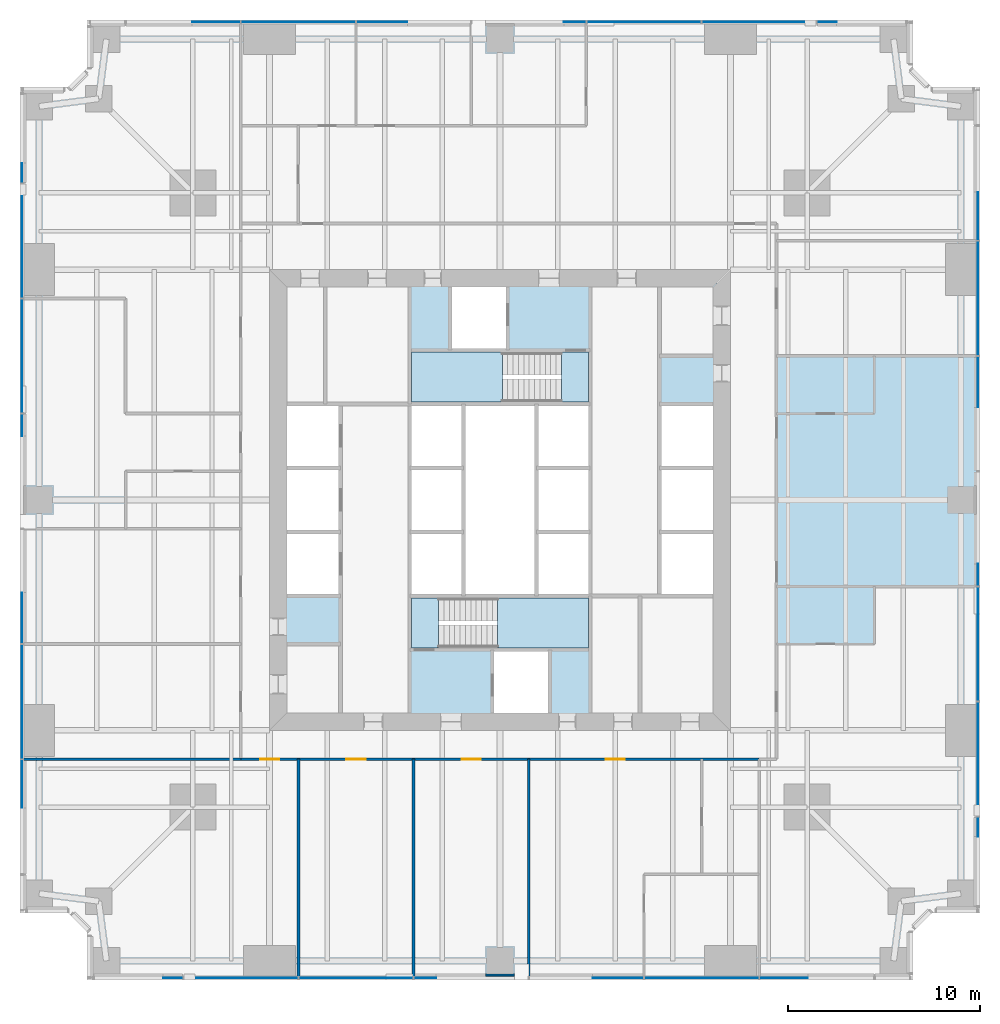
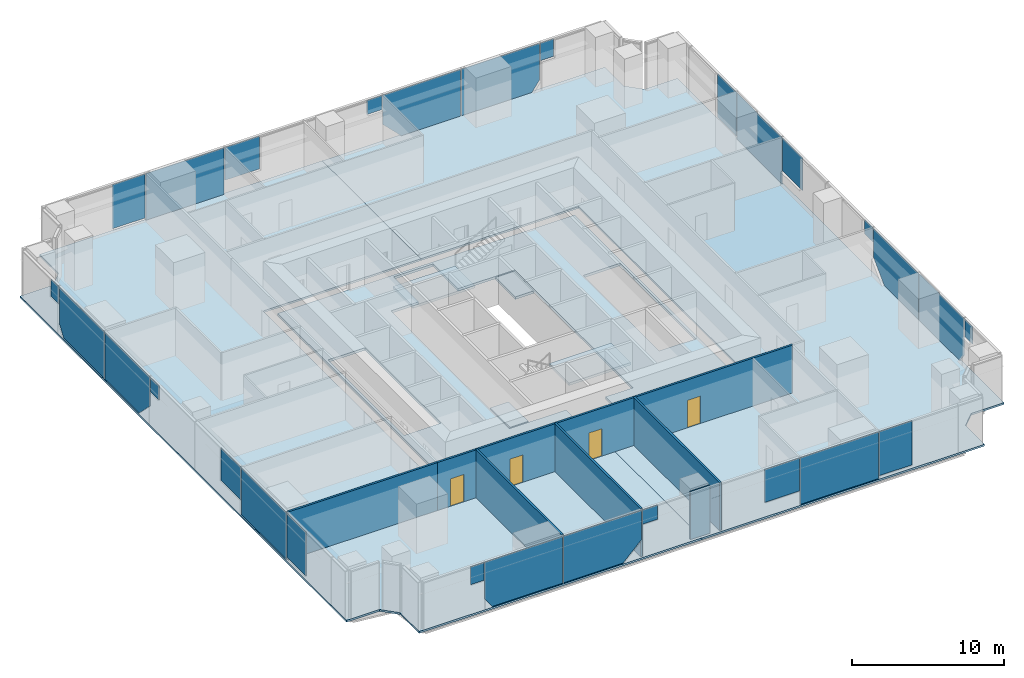
# One storey, part 8 of 13: 28 plates, 7 slabs, 6 walls, 4 doors, 4 openings, 6 elements without a shape of their own.
"""IFC4 building model written with IfcOpenShell, lengths in metres."""

from ifc_helpers import new_model, si_unit, direction, frame, frame_2d, origin, origin_2d, place, context, subcontext, project, spatial, polyline, rectangle, outline, extrude, material, layer, layer_set, type_object, element, fill, aggregate, save


model = new_model("IFC4")

# Units and contexts
model_context = context("Model", 3, precision=1e-05, world=origin(), true_north=direction((0.0, 1.0)))
body_context = subcontext(model_context, "Body", "Model", "MODEL_VIEW")
ifc_project = project(units=[si_unit("LENGTHUNIT", "METRE"), si_unit("AREAUNIT", "SQUARE_METRE"), si_unit("VOLUMEUNIT", "CUBIC_METRE"), si_unit("PLANEANGLEUNIT", "RADIAN"), si_unit("MASSUNIT", "GRAM", prefix="KILO")], contexts=[model_context])

# Site, building, storey
site_placement = place(None, origin())
site = spatial("IfcSite", under=ifc_project, at=site_placement, CompositionType="ELEMENT")
building_placement = place(site_placement, origin())
building = spatial("IfcBuilding", under=site, at=building_placement, Name="Fenwick Lantern Interchange", CompositionType="ELEMENT")
storey_placement = place(building_placement, frame((0.0, 0.0, 63.0)))
storey = spatial("IfcBuildingStorey", under=building, at=storey_placement, Name="L14", CompositionType="ELEMENT", Elevation=63.0)

# Slabs
ifc_material_1 = material(Name="Concrete f'c 35 MPa", Category="concrete")
ifc_layer_1 = layer(ifc_material_1, 0.199951171875)
ifc_layer_set_1 = layer_set([ifc_layer_1], Name="CORE FLOOR SLAB 200")
slab_type_1 = type_object("IfcSlabType", Name="CORE FLOOR SLAB 200", PredefinedType="FLOOR", material=ifc_layer_set_1)
slab_1_placement = place(storey_placement, frame((0.0, 0.0, -0.199951171875)))
element("IfcSlab", 1, at=slab_1_placement, inside=storey, type_object=slab_type_1, Name="L14/SLAB/CORE", PredefinedType="FLOOR", context=body_context, shape_type="SweptSolid", body=[
    extrude(outline(polyline([(13.699951171875, 36.300048828125), (36.300048828125, 36.300048828125), (36.300048828125, 13.699951171875), (13.699951171875, 13.699951171875), (13.699951171875, 36.300048828125)]), holes=[polyline([(13.89990234375, 20.0), (16.699951171875, 20.0), (16.699951171875, 23.333251953125), (16.699951171875, 26.666748046875), (16.699951171875, 30.0), (13.89990234375, 30.0), (13.89990234375, 26.666748046875), (13.89990234375, 23.333251953125), (13.89990234375, 20.0)]), polyline([(20.300048828125, 20.0), (20.300048828125, 17.199951171875), (24.60009765625, 17.199951171875), (24.60009765625, 13.89990234375), (27.60009765625, 13.89990234375), (27.60009765625, 17.199951171875), (29.699951171875, 17.199951171875), (29.699951171875, 20.0), (29.699951171875, 23.333251953125), (29.699951171875, 26.666748046875), (29.699951171875, 30.0), (29.699951171875, 32.800048828125), (25.39990234375, 32.800048828125), (25.39990234375, 36.10009765625), (22.39990234375, 36.10009765625), (22.39990234375, 32.800048828125), (20.300048828125, 32.800048828125), (20.300048828125, 30.0), (20.300048828125, 26.666748046875), (20.300048828125, 23.333251953125), (20.300048828125, 20.0)]), polyline([(33.300048828125, 23.333251953125), (33.300048828125, 20.0), (36.10009765625, 20.0), (36.10009765625, 23.333251953125), (36.10009765625, 26.666748046875), (36.10009765625, 30.0), (33.300048828125, 30.0), (33.300048828125, 26.666748046875), (33.300048828125, 23.333251953125)])]), origin(), (0.0, 0.0, 1.0), 0.199951171875),
])
ifc_material_2 = material(Name="Concrete f'c 35 MPa", Category="concrete")
ifc_layer_2 = layer(ifc_material_2, 0.14990234375)
ifc_layer_set_2 = layer_set([ifc_layer_2], Name="Concrete f'c 35 MPa")
slab_type_2 = type_object("IfcSlabType", Name="FLOOR SLAB 150", PredefinedType="FLOOR", material=ifc_layer_set_2)
slab_2_placement = place(storey_placement, frame((0.0, 0.0, -0.14990234375)))
element("IfcSlab", 2, at=slab_2_placement, inside=storey, type_object=slab_type_2, Name="L14/SLAB/FW", PredefinedType="FLOOR", context=body_context, shape_type="SweptSolid", body=[
    extrude(outline(polyline([(3.5, 0.0), (3.5, 2.5), (2.5, 3.5), (0.0, 3.5), (0.0, 46.5), (2.5, 46.5), (3.5, 47.5), (3.5, 50.0), (25.0, 50.0), (25.0, 37.0), (13.0, 37.0), (13.0, 13.0), (25.0, 13.0), (25.0, 0.0), (3.5, 0.0)])), origin(), (0.0, 0.0, 1.0), 0.14990234375),
])
slab_3_placement = place(storey_placement, frame((0.0, 0.0, -0.14990234375)))
element("IfcSlab", 3, at=slab_3_placement, inside=storey, type_object=slab_type_2, Name="L14/SLAB/FE", PredefinedType="FLOOR", context=body_context, shape_type="SweptSolid", body=[
    extrude(outline(polyline([(46.5, 50.0), (46.5, 47.5), (47.5, 46.5), (50.0, 46.5), (50.0, 3.5), (47.5, 3.5), (46.5, 2.5), (46.5, 0.0), (25.0, 0.0), (25.0, 13.0), (37.0, 13.0), (37.0, 37.0), (25.0, 37.0), (25.0, 50.0), (46.5, 50.0)])), origin(), (0.0, 0.0, 1.0), 0.14990234375),
])

# Curtain wall, plates
ifc_material_3 = material(Name="Aluminium curtain wall frame", Category="aluminium")
curtain_wall_type = type_object("IfcCurtainWallType", Name="OFFICE CURTAIN WALL", PredefinedType="USERDEFINED", material=ifc_material_3)
curtain_wall_1_placement = place(storey_placement, origin())
curtain_wall_1 = element("IfcCurtainWall", 4, at=curtain_wall_1_placement, inside=storey, type_object=curtain_wall_type, Name="Office curtain wall 01", ObjectType="OFFICE CURTAIN WALL", PredefinedType="USERDEFINED")
ifc_material_4 = material(Name="Vision glass, clear low-iron double glazed", Category="glass")
ifc_layer_3 = layer(ifc_material_4, 0.031982421875)
ifc_layer_set_3 = layer_set([ifc_layer_3], Name="OFFICE CURTAIN WALL PANEL 32")
plate_type = type_object("IfcPlateType", Name="OFFICE CURTAIN WALL PANEL 32", PredefinedType="CURTAIN_PANEL", material=ifc_layer_set_3)
plate_1_placement = place(storey_placement, frame((3.60009765625, 0.10009765625, 2.328125), z_axis=(0.0, 0.0, 1.0), x_axis=(1.0, 0.0, 0.0)))
plate_1 = element("IfcPlate", 5, at=plate_1_placement, type_object=plate_type, Name="L14/CW/01/P00a", PredefinedType="CURTAIN_PANEL", context=body_context, shape_type="SweptSolid", body=[
    extrude(outline(polyline([(3.86083984375, 0.0), (4.867431640625, 0.0), (4.867431640625, 1.421875), (3.86083984375, 1.421875), (3.86083984375, 0.0)])), frame((0.0, 0.01611328125, 0.0), z_axis=(0.0, -1.0, 0.0), x_axis=(1.0, 0.0, 0.0)), (0.0, 0.0, 1.0), 0.031982421875),
])
plate_2_placement = place(storey_placement, frame((3.60009765625, 0.10009765625, 0.0), z_axis=(0.0, 0.0, 1.0), x_axis=(1.0, 0.0, 0.0)))
plate_2 = element("IfcPlate", 6, at=plate_2_placement, type_object=plate_type, Name="L14/CW/01/P01a", PredefinedType="CURTAIN_PANEL", context=body_context, shape_type="SweptSolid", body=[
    extrude(outline(polyline([(5.510009765625, 0.0), (10.867431640625, 0.0), (10.867431640625, 3.75), (4.9326171875, 3.75), (4.9326171875, 0.815185546875), (5.510009765625, 0.0)])), frame((0.0, 0.01611328125, 0.0), z_axis=(0.0, -1.0, 0.0), x_axis=(1.0, 0.0, 0.0)), (0.0, 0.0, 1.0), 0.031982421875),
])
plate_3_placement = place(storey_placement, frame((3.60009765625, 0.10009765625, 0.0), z_axis=(0.0, 0.0, 1.0), x_axis=(1.0, 0.0, 0.0)))
plate_3 = element("IfcPlate", 7, at=plate_3_placement, type_object=plate_type, Name="L14/CW/01/P02a", PredefinedType="CURTAIN_PANEL", context=body_context, shape_type="SweptSolid", body=[
    extrude(outline(polyline([(10.9326171875, 0.0), (15.46044921875, 0.0), (16.867431640625, 1.406982421875), (16.867431640625, 3.75), (10.9326171875, 3.75), (10.9326171875, 0.0)])), frame((0.0, 0.01611328125, 0.0), z_axis=(0.0, -1.0, 0.0), x_axis=(1.0, 0.0, 0.0)), (0.0, 0.0, 1.0), 0.031982421875),
])
plate_4_placement = place(storey_placement, frame((3.60009765625, 0.10009765625, 2.612060546875), z_axis=(0.0, 0.0, 1.0), x_axis=(1.0, 0.0, 0.0)))
plate_4 = element("IfcPlate", 8, at=plate_4_placement, type_object=plate_type, Name="L14/CW/01/P03a", PredefinedType="CURTAIN_PANEL", context=body_context, shape_type="SweptSolid", body=[
    extrude(outline(polyline([(16.9326171875, 0.0), (18.072509765625, 0.0), (18.072509765625, 1.137939453125), (16.9326171875, 1.137939453125), (16.9326171875, 0.0)])), frame((0.0, 0.01611328125, 0.0), z_axis=(0.0, -1.0, 0.0), x_axis=(1.0, 0.0, 0.0)), (0.0, 0.0, 1.0), 0.031982421875),
])
plate_5_placement = place(storey_placement, frame((3.60009765625, 0.10009765625, 1.10888671875), z_axis=(0.0, 0.0, 1.0), x_axis=(1.0, 0.0, 0.0)))
plate_5 = element("IfcPlate", 9, at=plate_5_placement, type_object=plate_type, Name="L14/CW/01/P04a", PredefinedType="CURTAIN_PANEL", context=body_context, shape_type="SweptSolid", body=[
    extrude(outline(polyline([(26.23046875, 0.0), (28.867431640625, 0.0), (28.867431640625, 2.64111328125), (26.23046875, 2.64111328125), (26.23046875, 0.0)])), frame((0.0, 0.01611328125, 0.0), z_axis=(0.0, -1.0, 0.0), x_axis=(1.0, 0.0, 0.0)), (0.0, 0.0, 1.0), 0.031982421875),
])
plate_6_placement = place(storey_placement, frame((35.5, 0.10009765625, 0.0), z_axis=(0.0, 0.0, 1.0), x_axis=(1.0, 0.0, 0.0)))
plate_6 = element("IfcPlate", 10, at=plate_6_placement, type_object=plate_type, Name="L14/CW/01/P05", PredefinedType="CURTAIN_PANEL", context=body_context, shape_type="SweptSolid", body=[
    extrude(rectangle(XDim=5.93505859375, YDim=0.031982421875, at=origin_2d()), origin(), (0.0, 0.0, 1.0), 3.75),
])
plate_7_placement = place(storey_placement, frame((3.60009765625, 0.10009765625, 0.2080078125), z_axis=(0.0, 0.0, 1.0), x_axis=(1.0, 0.0, 0.0)))
plate_7 = element("IfcPlate", 11, at=plate_7_placement, type_object=plate_type, Name="L14/CW/01/P06a", PredefinedType="CURTAIN_PANEL", context=body_context, shape_type="SweptSolid", body=[
    extrude(outline(polyline([(34.9326171875, 0.0), (37.4375, 0.0), (37.4375, 3.5419921875), (34.9326171875, 3.5419921875), (34.9326171875, 0.0)])), frame((0.0, 0.01611328125, 0.0), z_axis=(0.0, -1.0, 0.0), x_axis=(1.0, 0.0, 0.0)), (0.0, 0.0, 1.0), 0.031982421875),
])
aggregate(curtain_wall_1, [plate_1, plate_2, plate_3, plate_4, plate_5, plate_6, plate_7])

curtain_wall_2_placement = place(storey_placement, origin())
curtain_wall_2 = element("IfcCurtainWall", 12, at=curtain_wall_2_placement, inside=storey, type_object=curtain_wall_type, Name="Office curtain wall 05", ObjectType="OFFICE CURTAIN WALL", PredefinedType="USERDEFINED")
plate_8_placement = place(storey_placement, frame((49.89990234375, 3.60009765625, 2.328125), z_axis=(0.0, 0.0, 1.0), x_axis=(0.0, 1.0, 0.0)))
plate_8 = element("IfcPlate", 13, at=plate_8_placement, type_object=plate_type, Name="L14/CW/05/P00a", PredefinedType="CURTAIN_PANEL", context=body_context, shape_type="SweptSolid", body=[
    extrude(outline(polyline([(3.86083984375, 0.0), (4.867431640625, 0.0), (4.867431640625, 1.421875), (3.86083984375, 1.421875), (3.86083984375, 0.0)])), frame((0.0, 0.01611328125, 0.0), z_axis=(0.0, -1.0, 0.0), x_axis=(1.0, 0.0, 0.0)), (0.0, 0.0, 1.0), 0.031982421875),
])
plate_9_placement = place(storey_placement, frame((49.89990234375, 3.60009765625, 0.0), z_axis=(0.0, 0.0, 1.0), x_axis=(0.0, 1.0, 0.0)))
plate_9 = element("IfcPlate", 14, at=plate_9_placement, type_object=plate_type, Name="L14/CW/05/P01a", PredefinedType="CURTAIN_PANEL", context=body_context, shape_type="SweptSolid", body=[
    extrude(outline(polyline([(5.510009765625, 0.0), (10.867431640625, 0.0), (10.867431640625, 3.75), (4.9326171875, 3.75), (4.9326171875, 0.815185546875), (5.510009765625, 0.0)])), frame((0.0, 0.01611328125, 0.0), z_axis=(0.0, -1.0, 0.0), x_axis=(1.0, 0.0, 0.0)), (0.0, 0.0, 1.0), 0.031982421875),
])
plate_10_placement = place(storey_placement, frame((49.89990234375, 3.60009765625, 0.0), z_axis=(0.0, 0.0, 1.0), x_axis=(0.0, 1.0, 0.0)))
plate_10 = element("IfcPlate", 15, at=plate_10_placement, type_object=plate_type, Name="L14/CW/05/P02a", PredefinedType="CURTAIN_PANEL", context=body_context, shape_type="SweptSolid", body=[
    extrude(outline(polyline([(10.9326171875, 0.0), (15.46044921875, 0.0), (16.867431640625, 1.406982421875), (16.867431640625, 3.75), (10.9326171875, 3.75), (10.9326171875, 0.0)])), frame((0.0, 0.01611328125, 0.0), z_axis=(0.0, -1.0, 0.0), x_axis=(1.0, 0.0, 0.0)), (0.0, 0.0, 1.0), 0.031982421875),
])
plate_11_placement = place(storey_placement, frame((49.89990234375, 3.60009765625, 2.612060546875), z_axis=(0.0, 0.0, 1.0), x_axis=(0.0, 1.0, 0.0)))
plate_11 = element("IfcPlate", 16, at=plate_11_placement, type_object=plate_type, Name="L14/CW/05/P03a", PredefinedType="CURTAIN_PANEL", context=body_context, shape_type="SweptSolid", body=[
    extrude(outline(polyline([(16.9326171875, 0.0), (18.072509765625, 0.0), (18.072509765625, 1.137939453125), (16.9326171875, 1.137939453125), (16.9326171875, 0.0)])), frame((0.0, 0.01611328125, 0.0), z_axis=(0.0, -1.0, 0.0), x_axis=(1.0, 0.0, 0.0)), (0.0, 0.0, 1.0), 0.031982421875),
])
plate_12_placement = place(storey_placement, frame((49.89990234375, 3.60009765625, 1.10888671875), z_axis=(0.0, 0.0, 1.0), x_axis=(0.0, 1.0, 0.0)))
plate_12 = element("IfcPlate", 17, at=plate_12_placement, type_object=plate_type, Name="L14/CW/05/P04a", PredefinedType="CURTAIN_PANEL", context=body_context, shape_type="SweptSolid", body=[
    extrude(outline(polyline([(26.23046875, 0.0), (28.867431640625, 0.0), (28.867431640625, 2.64111328125), (26.23046875, 2.64111328125), (26.23046875, 0.0)])), frame((0.0, 0.01611328125, 0.0), z_axis=(0.0, -1.0, 0.0), x_axis=(1.0, 0.0, 0.0)), (0.0, 0.0, 1.0), 0.031982421875),
])
plate_13_placement = place(storey_placement, frame((49.89990234375, 35.5, 0.0), z_axis=(0.0, 0.0, 1.0), x_axis=(0.0, 1.0, 0.0)))
plate_13 = element("IfcPlate", 18, at=plate_13_placement, type_object=plate_type, Name="L14/CW/05/P05", PredefinedType="CURTAIN_PANEL", context=body_context, shape_type="SweptSolid", body=[
    extrude(rectangle(XDim=5.93505859375, YDim=0.031982421875, at=origin_2d()), origin(), (0.0, 0.0, 1.0), 3.75),
])
plate_14_placement = place(storey_placement, frame((49.89990234375, 3.60009765625, 0.2080078125), z_axis=(0.0, 0.0, 1.0), x_axis=(0.0, 1.0, 0.0)))
plate_14 = element("IfcPlate", 19, at=plate_14_placement, type_object=plate_type, Name="L14/CW/05/P06a", PredefinedType="CURTAIN_PANEL", context=body_context, shape_type="SweptSolid", body=[
    extrude(outline(polyline([(34.9326171875, 0.0), (37.4375, 0.0), (37.4375, 3.5419921875), (34.9326171875, 3.5419921875), (34.9326171875, 0.0)])), frame((0.0, 0.01611328125, 0.0), z_axis=(0.0, -1.0, 0.0), x_axis=(1.0, 0.0, 0.0)), (0.0, 0.0, 1.0), 0.031982421875),
])
aggregate(curtain_wall_2, [plate_8, plate_9, plate_10, plate_11, plate_12, plate_13, plate_14])

curtain_wall_3_placement = place(storey_placement, origin())
curtain_wall_3 = element("IfcCurtainWall", 20, at=curtain_wall_3_placement, inside=storey, type_object=curtain_wall_type, Name="Office curtain wall 09", ObjectType="OFFICE CURTAIN WALL", PredefinedType="USERDEFINED")
plate_15_placement = place(storey_placement, frame((46.39990234375, 49.89990234375, 2.328125), z_axis=(0.0, 0.0, 1.0), x_axis=(-1.0, 0.0, 0.0)))
plate_15 = element("IfcPlate", 21, at=plate_15_placement, type_object=plate_type, Name="L14/CW/09/P00a", PredefinedType="CURTAIN_PANEL", context=body_context, shape_type="SweptSolid", body=[
    extrude(outline(polyline([(3.86083984375, 0.0), (4.867431640625, 0.0), (4.867431640625, 1.421875), (3.86083984375, 1.421875), (3.86083984375, 0.0)])), frame((0.0, 0.01611328125, 0.0), z_axis=(0.0, -1.0, 0.0), x_axis=(1.0, 0.0, 0.0)), (0.0, 0.0, 1.0), 0.031982421875),
])
plate_16_placement = place(storey_placement, frame((46.39990234375, 49.89990234375, 0.0), z_axis=(0.0, 0.0, 1.0), x_axis=(-1.0, 0.0, 0.0)))
plate_16 = element("IfcPlate", 22, at=plate_16_placement, type_object=plate_type, Name="L14/CW/09/P01a", PredefinedType="CURTAIN_PANEL", context=body_context, shape_type="SweptSolid", body=[
    extrude(outline(polyline([(5.510009765625, 0.0), (10.867431640625, 0.0), (10.867431640625, 3.75), (4.9326171875, 3.75), (4.9326171875, 0.815185546875), (5.510009765625, 0.0)])), frame((0.0, 0.01611328125, 0.0), z_axis=(0.0, -1.0, 0.0), x_axis=(1.0, 0.0, 0.0)), (0.0, 0.0, 1.0), 0.031982421875),
])
plate_17_placement = place(storey_placement, frame((46.39990234375, 49.89990234375, 0.0), z_axis=(0.0, 0.0, 1.0), x_axis=(-1.0, 0.0, 0.0)))
plate_17 = element("IfcPlate", 23, at=plate_17_placement, type_object=plate_type, Name="L14/CW/09/P02a", PredefinedType="CURTAIN_PANEL", context=body_context, shape_type="SweptSolid", body=[
    extrude(outline(polyline([(10.9326171875, 0.0), (15.46044921875, 0.0), (16.867431640625, 1.406982421875), (16.867431640625, 3.75), (10.9326171875, 3.75), (10.9326171875, 0.0)])), frame((0.0, 0.01611328125, 0.0), z_axis=(0.0, -1.0, 0.0), x_axis=(1.0, 0.0, 0.0)), (0.0, 0.0, 1.0), 0.031982421875),
])
plate_18_placement = place(storey_placement, frame((46.39990234375, 49.89990234375, 2.612060546875), z_axis=(0.0, 0.0, 1.0), x_axis=(-1.0, 0.0, 0.0)))
plate_18 = element("IfcPlate", 24, at=plate_18_placement, type_object=plate_type, Name="L14/CW/09/P03a", PredefinedType="CURTAIN_PANEL", context=body_context, shape_type="SweptSolid", body=[
    extrude(outline(polyline([(16.9326171875, 0.0), (18.072509765625, 0.0), (18.072509765625, 1.137939453125), (16.9326171875, 1.137939453125), (16.9326171875, 0.0)])), frame((0.0, 0.01611328125, 0.0), z_axis=(0.0, -1.0, 0.0), x_axis=(1.0, 0.0, 0.0)), (0.0, 0.0, 1.0), 0.031982421875),
])
plate_19_placement = place(storey_placement, frame((46.39990234375, 49.89990234375, 1.10888671875), z_axis=(0.0, 0.0, 1.0), x_axis=(-1.0, 0.0, 0.0)))
plate_19 = element("IfcPlate", 25, at=plate_19_placement, type_object=plate_type, Name="L14/CW/09/P04a", PredefinedType="CURTAIN_PANEL", context=body_context, shape_type="SweptSolid", body=[
    extrude(outline(polyline([(26.23046875, 0.0), (28.867431640625, 0.0), (28.867431640625, 2.64111328125), (26.23046875, 2.64111328125), (26.23046875, 0.0)])), frame((0.0, 0.01611328125, 0.0), z_axis=(0.0, -1.0, 0.0), x_axis=(1.0, 0.0, 0.0)), (0.0, 0.0, 1.0), 0.031982421875),
])
plate_20_placement = place(storey_placement, frame((14.5, 49.89990234375, 0.0), z_axis=(0.0, 0.0, 1.0), x_axis=(-1.0, 0.0, 0.0)))
plate_20 = element("IfcPlate", 26, at=plate_20_placement, type_object=plate_type, Name="L14/CW/09/P05", PredefinedType="CURTAIN_PANEL", context=body_context, shape_type="SweptSolid", body=[
    extrude(rectangle(XDim=5.93505859375, YDim=0.031982421875, at=origin_2d()), origin(), (0.0, 0.0, 1.0), 3.75),
])
plate_21_placement = place(storey_placement, frame((46.39990234375, 49.89990234375, 0.2080078125), z_axis=(0.0, 0.0, 1.0), x_axis=(-1.0, 0.0, 0.0)))
plate_21 = element("IfcPlate", 27, at=plate_21_placement, type_object=plate_type, Name="L14/CW/09/P06a", PredefinedType="CURTAIN_PANEL", context=body_context, shape_type="SweptSolid", body=[
    extrude(outline(polyline([(34.9326171875, 0.0), (37.4375, 0.0), (37.4375, 3.5419921875), (34.9326171875, 3.5419921875), (34.9326171875, 0.0)])), frame((0.0, 0.01611328125, 0.0), z_axis=(0.0, -1.0, 0.0), x_axis=(1.0, 0.0, 0.0)), (0.0, 0.0, 1.0), 0.031982421875),
])
aggregate(curtain_wall_3, [plate_15, plate_16, plate_17, plate_18, plate_19, plate_20, plate_21])

curtain_wall_4_placement = place(storey_placement, origin())
curtain_wall_4 = element("IfcCurtainWall", 28, at=curtain_wall_4_placement, inside=storey, type_object=curtain_wall_type, Name="Office curtain wall 13", ObjectType="OFFICE CURTAIN WALL", PredefinedType="USERDEFINED")
plate_22_placement = place(storey_placement, frame((0.10009765625, 46.39990234375, 2.328125), z_axis=(0.0, 0.0, 1.0), x_axis=(0.0, -1.0, 0.0)))
plate_22 = element("IfcPlate", 29, at=plate_22_placement, type_object=plate_type, Name="L14/CW/13/P00a", PredefinedType="CURTAIN_PANEL", context=body_context, shape_type="SweptSolid", body=[
    extrude(outline(polyline([(3.86083984375, 0.0), (4.867431640625, 0.0), (4.867431640625, 1.421875), (3.86083984375, 1.421875), (3.86083984375, 0.0)])), frame((0.0, 0.01611328125, 0.0), z_axis=(0.0, -1.0, 0.0), x_axis=(1.0, 0.0, 0.0)), (0.0, 0.0, 1.0), 0.031982421875),
])
plate_23_placement = place(storey_placement, frame((0.10009765625, 46.39990234375, 0.0), z_axis=(0.0, 0.0, 1.0), x_axis=(0.0, -1.0, 0.0)))
plate_23 = element("IfcPlate", 30, at=plate_23_placement, type_object=plate_type, Name="L14/CW/13/P01a", PredefinedType="CURTAIN_PANEL", context=body_context, shape_type="SweptSolid", body=[
    extrude(outline(polyline([(5.510009765625, 0.0), (10.867431640625, 0.0), (10.867431640625, 3.75), (4.9326171875, 3.75), (4.9326171875, 0.815185546875), (5.510009765625, 0.0)])), frame((0.0, 0.01611328125, 0.0), z_axis=(0.0, -1.0, 0.0), x_axis=(1.0, 0.0, 0.0)), (0.0, 0.0, 1.0), 0.031982421875),
])
plate_24_placement = place(storey_placement, frame((0.10009765625, 46.39990234375, 0.0), z_axis=(0.0, 0.0, 1.0), x_axis=(0.0, -1.0, 0.0)))
plate_24 = element("IfcPlate", 31, at=plate_24_placement, type_object=plate_type, Name="L14/CW/13/P02a", PredefinedType="CURTAIN_PANEL", context=body_context, shape_type="SweptSolid", body=[
    extrude(outline(polyline([(10.9326171875, 0.0), (15.46044921875, 0.0), (16.867431640625, 1.406982421875), (16.867431640625, 3.75), (10.9326171875, 3.75), (10.9326171875, 0.0)])), frame((0.0, 0.01611328125, 0.0), z_axis=(0.0, -1.0, 0.0), x_axis=(1.0, 0.0, 0.0)), (0.0, 0.0, 1.0), 0.031982421875),
])
plate_25_placement = place(storey_placement, frame((0.10009765625, 46.39990234375, 2.612060546875), z_axis=(0.0, 0.0, 1.0), x_axis=(0.0, -1.0, 0.0)))
plate_25 = element("IfcPlate", 32, at=plate_25_placement, type_object=plate_type, Name="L14/CW/13/P03a", PredefinedType="CURTAIN_PANEL", context=body_context, shape_type="SweptSolid", body=[
    extrude(outline(polyline([(16.9326171875, 0.0), (18.072509765625, 0.0), (18.072509765625, 1.137939453125), (16.9326171875, 1.137939453125), (16.9326171875, 0.0)])), frame((0.0, 0.01611328125, 0.0), z_axis=(0.0, -1.0, 0.0), x_axis=(1.0, 0.0, 0.0)), (0.0, 0.0, 1.0), 0.031982421875),
])
plate_26_placement = place(storey_placement, frame((0.10009765625, 46.39990234375, 1.10888671875), z_axis=(0.0, 0.0, 1.0), x_axis=(0.0, -1.0, 0.0)))
plate_26 = element("IfcPlate", 33, at=plate_26_placement, type_object=plate_type, Name="L14/CW/13/P04a", PredefinedType="CURTAIN_PANEL", context=body_context, shape_type="SweptSolid", body=[
    extrude(outline(polyline([(26.23046875, 0.0), (28.867431640625, 0.0), (28.867431640625, 2.64111328125), (26.23046875, 2.64111328125), (26.23046875, 0.0)])), frame((0.0, 0.01611328125, 0.0), z_axis=(0.0, -1.0, 0.0), x_axis=(1.0, 0.0, 0.0)), (0.0, 0.0, 1.0), 0.031982421875),
])
plate_27_placement = place(storey_placement, frame((0.10009765625, 14.5, 0.0), z_axis=(0.0, 0.0, 1.0), x_axis=(0.0, -1.0, 0.0)))
plate_27 = element("IfcPlate", 34, at=plate_27_placement, type_object=plate_type, Name="L14/CW/13/P05", PredefinedType="CURTAIN_PANEL", context=body_context, shape_type="SweptSolid", body=[
    extrude(rectangle(XDim=5.93505859375, YDim=0.031982421875, at=origin_2d()), origin(), (0.0, 0.0, 1.0), 3.75),
])
plate_28_placement = place(storey_placement, frame((0.10009765625, 46.39990234375, 0.2080078125), z_axis=(0.0, 0.0, 1.0), x_axis=(0.0, -1.0, 0.0)))
plate_28 = element("IfcPlate", 35, at=plate_28_placement, type_object=plate_type, Name="L14/CW/13/P06a", PredefinedType="CURTAIN_PANEL", context=body_context, shape_type="SweptSolid", body=[
    extrude(outline(polyline([(34.9326171875, 0.0), (37.4375, 0.0), (37.4375, 3.5419921875), (34.9326171875, 3.5419921875), (34.9326171875, 0.0)])), frame((0.0, 0.01611328125, 0.0), z_axis=(0.0, -1.0, 0.0), x_axis=(1.0, 0.0, 0.0)), (0.0, 0.0, 1.0), 0.031982421875),
])
aggregate(curtain_wall_4, [plate_22, plate_23, plate_24, plate_25, plate_26, plate_27, plate_28])

# Stair, slabs
ifc_material_5 = material(Name="Precast concrete f'c 35 MPa", Category="concrete")
stair_type = type_object("IfcStairType", Name="EXIT STAIR 1200", PredefinedType="HALF_TURN_STAIR", material=ifc_material_5)
stair_1_placement = place(storey_placement, origin())
stair_1 = element("IfcStair", 36, at=stair_1_placement, inside=storey, type_object=stair_type, Name="Exit stair ST1", PredefinedType="HALF_TURN_STAIR")
ifc_layer_4 = layer(ifc_material_1, 0.199951171875)
ifc_layer_set_4 = layer_set([ifc_layer_4], Name="STAIR LANDING 200")
slab_type_3 = type_object("IfcSlabType", Name="STAIR LANDING 200", PredefinedType="LANDING", material=ifc_layer_set_4)
slab_4_placement = place(storey_placement, frame((0.0, 0.0, 1.800048828125)))
slab_4 = element("IfcSlab", 37, at=slab_4_placement, type_object=slab_type_3, Name="ST1 landing 1", PredefinedType="LANDING", context=body_context, shape_type="SweptSolid", body=[
    extrude(outline(polyline([(24.8798828125, 17.300048828125), (29.60009765625, 17.300048828125), (29.60009765625, 19.89990234375), (24.8798828125, 19.89990234375), (24.8798828125, 17.300048828125)])), origin(), (0.0, 0.0, 1.0), 0.199951171875),
])
slab_5_placement = place(storey_placement, frame((0.0, 0.0, -0.199951171875)))
slab_5 = element("IfcSlab", 38, at=slab_5_placement, type_object=slab_type_3, Name="ST1 landing 2", PredefinedType="LANDING", context=body_context, shape_type="SweptSolid", body=[
    extrude(outline(polyline([(20.39990234375, 17.300048828125), (21.800048828125, 17.300048828125), (21.800048828125, 19.89990234375), (20.39990234375, 19.89990234375), (20.39990234375, 17.300048828125)])), origin(), (0.0, 0.0, 1.0), 0.199951171875),
])
aggregate(stair_1, [slab_4, slab_5])

stair_2_placement = place(storey_placement, origin())
stair_2 = element("IfcStair", 39, at=stair_2_placement, inside=storey, type_object=stair_type, Name="Exit stair ST2", PredefinedType="HALF_TURN_STAIR")
slab_6_placement = place(storey_placement, frame((0.0, 0.0, 1.800048828125)))
slab_6 = element("IfcSlab", 40, at=slab_6_placement, type_object=slab_type_3, Name="ST2 landing 1", PredefinedType="LANDING", context=body_context, shape_type="SweptSolid", body=[
    extrude(outline(polyline([(25.1201171875, 32.699951171875), (20.39990234375, 32.699951171875), (20.39990234375, 30.10009765625), (25.1201171875, 30.10009765625), (25.1201171875, 32.699951171875)])), origin(), (0.0, 0.0, 1.0), 0.199951171875),
])
slab_7_placement = place(storey_placement, frame((0.0, 0.0, -0.199951171875)))
slab_7 = element("IfcSlab", 41, at=slab_7_placement, type_object=slab_type_3, Name="ST2 landing 2", PredefinedType="LANDING", context=body_context, shape_type="SweptSolid", body=[
    extrude(outline(polyline([(29.60009765625, 32.699951171875), (28.199951171875, 32.699951171875), (28.199951171875, 30.10009765625), (29.60009765625, 30.10009765625), (29.60009765625, 32.699951171875)])), origin(), (0.0, 0.0, 1.0), 0.199951171875),
])
aggregate(stair_2, [slab_6, slab_7])

# Wall
ifc_material_6 = material(Name="Fire-rated gypsum board encasement on steel studs, 2 hour", Category="steel")
ifc_layer_5 = layer(ifc_material_6, 1.5)
ifc_layer_set_5 = layer_set([ifc_layer_5], Name="COLUMN PIER 1500")
wall_type_1 = type_object("IfcWallType", Name="COLUMN PIER 1500", PredefinedType="PARTITIONING", material=ifc_layer_set_5)
wall_1_placement = place(storey_placement, frame((25.0, 0.199951171875, 0.0), z_axis=(0.0, 0.0, 1.0), x_axis=(0.0, 1.0, 0.0)))
element("IfcWall", 42, at=wall_1_placement, inside=storey, type_object=wall_type_1, Name="L14/W/PIER/CS3", PredefinedType="PARTITIONING", context=body_context, shape_type="SweptSolid", body=[
    extrude(rectangle(XDim=0.10009765625, YDim=1.5, at=frame_2d((0.050048828125, 0.0))), origin(), (0.0, 0.0, 1.0), 3.85009765625),
])

# Wall, openings, doors
ifc_material_7 = material(Name="Gypsum board on steel studs, 1 hour", Category="steel")
ifc_layer_6 = layer(ifc_material_7, 0.14990234375)
ifc_layer_set_6 = layer_set([ifc_layer_6], Name="CORRIDOR WALL 150")
wall_type_2 = type_object("IfcWallType", Name="CORRIDOR WALL 150", PredefinedType="PARTITIONING", material=ifc_layer_set_6)
wall_2_placement = place(storey_placement, frame((11.5, 11.5, 0.0), z_axis=(0.0, 0.0, 1.0), x_axis=(1.0, 0.0, 0.0)))
wall_2 = element("IfcWall", 43, at=wall_2_placement, inside=storey, type_object=wall_type_2, Name="L14/W/OFF/S/CW", PredefinedType="PARTITIONING", context=body_context, shape_type="SweptSolid", body=[
    extrude(rectangle(XDim=27.0, YDim=0.14990234375, at=frame_2d((13.5, 0.0))), origin(), (0.0, 0.0, 1.0), 3.85009765625),
])
opening_1_placement = place(wall_2_placement, frame((1.0, 0.0, 0.0)))
opening_1 = element("IfcOpeningElement", 44, at=opening_1_placement, cuts=wall_2, Name="Opening L14-D017", PredefinedType="OPENING", context=body_context, shape_type="SweptSolid", body=[
    extrude(rectangle(XDim=1.0, YDim=2.199951171875, at=frame_2d((0.5, 1.10009765625))), frame((0.0, 0.0849609375, 0.0), z_axis=(0.0, -1.0, 0.0), x_axis=(1.0, 0.0, 0.0)), (0.0, 0.0, 1.0), 0.169921875),
])
opening_2_placement = place(wall_2_placement, frame((5.5, 0.0, 0.0)))
opening_2 = element("IfcOpeningElement", 45, at=opening_2_placement, cuts=wall_2, Name="Opening L14-D018", PredefinedType="OPENING", context=body_context, shape_type="SweptSolid", body=[
    extrude(rectangle(XDim=1.0, YDim=2.199951171875, at=frame_2d((0.5, 1.10009765625))), frame((0.0, 0.0849609375, 0.0), z_axis=(0.0, -1.0, 0.0), x_axis=(1.0, 0.0, 0.0)), (0.0, 0.0, 1.0), 0.169921875),
])
opening_3_placement = place(wall_2_placement, frame((11.5, 0.0, 0.0)))
opening_3 = element("IfcOpeningElement", 46, at=opening_3_placement, cuts=wall_2, Name="Opening L14-D019", PredefinedType="OPENING", context=body_context, shape_type="SweptSolid", body=[
    extrude(rectangle(XDim=1.0, YDim=2.199951171875, at=frame_2d((0.5, 1.10009765625))), frame((0.0, 0.0849609375, 0.0), z_axis=(0.0, -1.0, 0.0), x_axis=(1.0, 0.0, 0.0)), (0.0, 0.0, 1.0), 0.169921875),
])
opening_4_placement = place(wall_2_placement, frame((19.0, 0.0, 0.0)))
opening_4 = element("IfcOpeningElement", 47, at=opening_4_placement, cuts=wall_2, Name="Opening L14-D020", PredefinedType="OPENING", context=body_context, shape_type="SweptSolid", body=[
    extrude(rectangle(XDim=1.0, YDim=2.199951171875, at=frame_2d((0.5, 1.10009765625))), frame((0.0, 0.0849609375, 0.0), z_axis=(0.0, -1.0, 0.0), x_axis=(1.0, 0.0, 0.0)), (0.0, 0.0, 1.0), 0.169921875),
])
ifc_material_8 = material(Name="Steel door and frame", Category="steel")
door_type = type_object("IfcDoorType", Name="SUITE ENTRANCE DOOR 1000 X 2200", OperationType="SINGLE_SWING_LEFT", PredefinedType="DOOR", material=ifc_material_8)
door_1_placement = place(opening_1_placement, frame((1.0, 0.0, 0.0), z_axis=(0.0, 0.0, 1.0), x_axis=(-1.0, 0.0, 0.0)))
door_1 = element("IfcDoor", 48, at=door_1_placement, inside=storey, type_object=door_type, Name="Suite entrance door", OperationType="SINGLE_SWING_LEFT", OverallHeight=2.199951171875, OverallWidth=1.0, PredefinedType="DOOR", context=body_context, shape_type="SweptSolid", body=[
    extrude(rectangle(XDim=1.0, YDim=2.199951171875, at=frame_2d((0.5, 1.10009765625))), frame((0.0, 0.02490234375, 0.0), z_axis=(0.0, -1.0, 0.0), x_axis=(1.0, 0.0, 0.0)), (0.0, 0.0, 1.0), 0.050048828125),
])
fill(opening_1, door_1)
door_2_placement = place(opening_2_placement, frame((1.0, 0.0, 0.0), z_axis=(0.0, 0.0, 1.0), x_axis=(-1.0, 0.0, 0.0)))
door_2 = element("IfcDoor", 49, at=door_2_placement, inside=storey, type_object=door_type, Name="Suite entrance door", OperationType="SINGLE_SWING_RIGHT", OverallHeight=2.199951171875, OverallWidth=1.0, PredefinedType="DOOR", context=body_context, shape_type="SweptSolid", body=[
    extrude(rectangle(XDim=1.0, YDim=2.199951171875, at=frame_2d((0.5, 1.10009765625))), frame((0.0, 0.02490234375, 0.0), z_axis=(0.0, -1.0, 0.0), x_axis=(1.0, 0.0, 0.0)), (0.0, 0.0, 1.0), 0.050048828125),
])
fill(opening_2, door_2)
door_3_placement = place(opening_3_placement, frame((1.0, 0.0, 0.0), z_axis=(0.0, 0.0, 1.0), x_axis=(-1.0, 0.0, 0.0)))
door_3 = element("IfcDoor", 50, at=door_3_placement, inside=storey, type_object=door_type, Name="Suite entrance door", OperationType="SINGLE_SWING_RIGHT", OverallHeight=2.199951171875, OverallWidth=1.0, PredefinedType="DOOR", context=body_context, shape_type="SweptSolid", body=[
    extrude(rectangle(XDim=1.0, YDim=2.199951171875, at=frame_2d((0.5, 1.10009765625))), frame((0.0, 0.02490234375, 0.0), z_axis=(0.0, -1.0, 0.0), x_axis=(1.0, 0.0, 0.0)), (0.0, 0.0, 1.0), 0.050048828125),
])
fill(opening_3, door_3)
door_4_placement = place(opening_4_placement, frame((1.0, 0.0, 0.0), z_axis=(0.0, 0.0, 1.0), x_axis=(-1.0, 0.0, 0.0)))
door_4 = element("IfcDoor", 51, at=door_4_placement, inside=storey, type_object=door_type, Name="Suite entrance door", OperationType="SINGLE_SWING_RIGHT", OverallHeight=2.199951171875, OverallWidth=1.0, PredefinedType="DOOR", context=body_context, shape_type="SweptSolid", body=[
    extrude(rectangle(XDim=1.0, YDim=2.199951171875, at=frame_2d((0.5, 1.10009765625))), frame((0.0, 0.02490234375, 0.0), z_axis=(0.0, -1.0, 0.0), x_axis=(1.0, 0.0, 0.0)), (0.0, 0.0, 1.0), 0.050048828125),
])
fill(opening_4, door_4)

# Walls
ifc_material_9 = material(Name="Gypsum board on steel studs, 1 hour acoustic", Category="steel")
ifc_layer_7 = layer(ifc_material_9, 0.14990234375)
ifc_layer_set_7 = layer_set([ifc_layer_7], Name="TENANT WALL 150")
wall_type_3 = type_object("IfcWallType", Name="TENANT WALL 150", PredefinedType="PARTITIONING", material=ifc_layer_set_7)
for number, where, z_axis, x_axis, name in (
    (52, (0.14990234375, 11.5, 0.0), (0.0, 0.0, 1.0), (1.0, 0.0, 0.0), "L14/W/OFF/S/BACK"),
    (53, (14.5, 0.14990234375, 0.0), (0.0, 0.0, 1.0), (0.0, 1.0, 0.0), "L14/W/OFF/S/X145-1"),
    (54, (20.5, 0.14990234375, 0.0), (0.0, 0.0, 1.0), (0.0, 1.0, 0.0), "L14/W/OFF/S/X205-1"),
    (55, (26.5, 0.14990234375, 0.0), (0.0, 0.0, 1.0), (0.0, 1.0, 0.0), "L14/W/OFF/S/X265-1"),
):
    element("IfcWall", number, at=place(storey_placement, frame(where, z_axis=z_axis, x_axis=x_axis)), inside=storey, type_object=wall_type_3, Name=name, PredefinedType="PARTITIONING", context=body_context, shape_type="SweptSolid", body=[
        extrude(rectangle(XDim=11.35009765625, YDim=0.14990234375, at=frame_2d((5.675048828125, 0.0))), origin(), (0.0, 0.0, 1.0), 3.85009765625),
    ])

save(model, "model.ifc")
